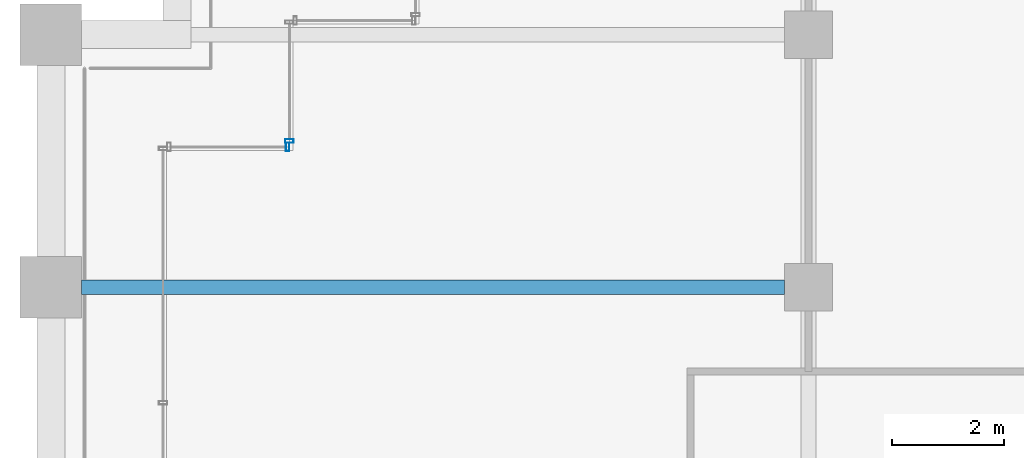
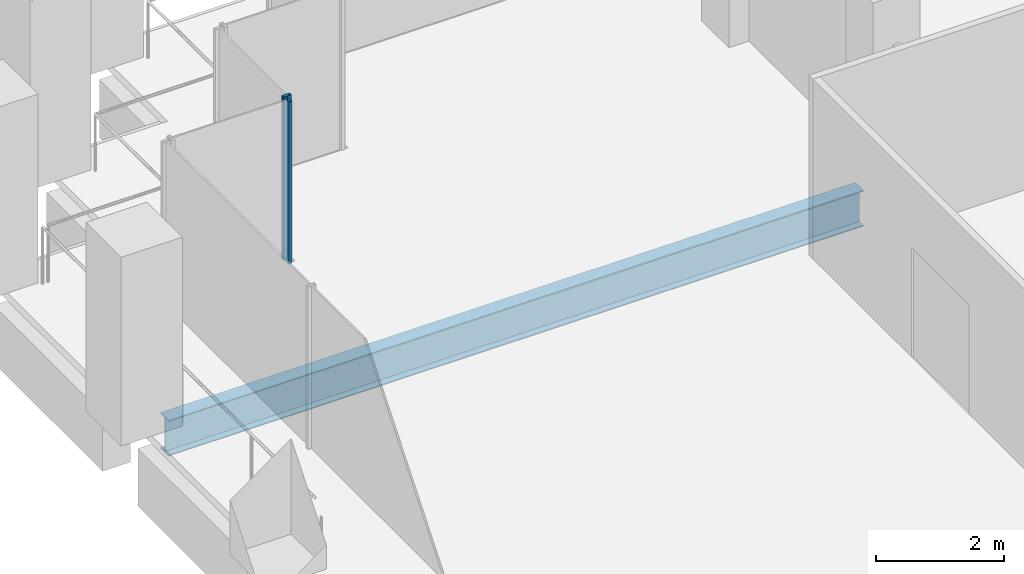
# One storey, part 24 of 54: 2 members, 1 beam, 2 elements without a shape of their own.
"""IFC4 building model written with IfcOpenShell, lengths in metres."""

from ifc_helpers import new_model, si_unit, direction, frame, origin, origin_2d, place, context, subcontext, project, spatial, hollow_rectangle, i_section, extrude, material, material_profile, profile_set, type_object, element, aggregate, save


model = new_model("IFC4")

# Units and contexts
model_context = context("Model", 3, precision=1e-05, world=origin(), true_north=direction((0.0, 1.0)))
body_context = subcontext(model_context, "Body", "Model", "MODEL_VIEW")
ifc_project = project(units=[si_unit("LENGTHUNIT", "METRE"), si_unit("AREAUNIT", "SQUARE_METRE"), si_unit("VOLUMEUNIT", "CUBIC_METRE"), si_unit("PLANEANGLEUNIT", "RADIAN"), si_unit("MASSUNIT", "GRAM", prefix="KILO")], contexts=[model_context])

# Site, building, storey
site_placement = place(None, origin())
site = spatial("IfcSite", under=ifc_project, at=site_placement, CompositionType="ELEMENT")
building_placement = place(site_placement, origin())
building = spatial("IfcBuilding", under=site, at=building_placement, Name="Altepetl Exchange Towers", CompositionType="ELEMENT")
storey_placement = place(building_placement, frame((0.0, 0.0, 65.39990234375)))
storey = spatial("IfcBuildingStorey", under=building, at=storey_placement, Name="L15", CompositionType="ELEMENT", Elevation=65.39990234375)

# Beam
ifc_material_1 = material(Name="Steel S355", Category="steel")
ifc_material_profile_1 = material_profile(ifc_material_1, i_section(OverallWidth=0.25390625, OverallDepth=0.68408203125, WebThickness=0.012451171875, FlangeThickness=0.018798828125, at=origin_2d()), Name="W27X94")
ifc_profile_set_1 = profile_set([ifc_material_profile_1], Name="Steel S355")
beam_type = type_object("IfcBeamType", Name="Floor beam W27X94", PredefinedType="BEAM", material=ifc_profile_set_1)
beam_placement = place(storey_placement, frame((27.550048828125, 63.0, -0.491943359375), z_axis=(1.0, 0.0, 0.0), x_axis=(0.0, 1.0, 0.0)))
element("IfcBeam", 1, at=beam_placement, inside=storey, type_object=beam_type, Name="bm:A:L15:022", PredefinedType="BEAM", context=body_context, shape_type="SweptSolid", body=[
    extrude(i_section(OverallWidth=0.25390625, OverallDepth=0.68408203125, WebThickness=0.012451171875, FlangeThickness=0.018798828125, at=origin_2d()), origin(), (0.0, 0.0, 1.0), 12.52490234375),
])

# Curtain wall, member
ifc_material_2 = material(Name="Aluminium 6063-T6 glazing", Category="aluminium")
curtain_wall_type = type_object("IfcCurtainWallType", Name="Loggia glazing system", PredefinedType="NOTDEFINED", material=ifc_material_2)
curtain_wall_1_placement = place(storey_placement, origin())
curtain_wall_1 = element("IfcCurtainWall", 2, at=curtain_wall_1_placement, inside=storey, type_object=curtain_wall_type, Name="CW1 run", PredefinedType="NOTDEFINED")
ifc_material_3 = material(Name="Aluminium 6063-T6", Category="aluminium")
ifc_material_profile_2 = material_profile(ifc_material_3, hollow_rectangle(XDim=0.06005859375, YDim=0.14990234375, WallThickness=0.0029296875, at=origin_2d()), Name="Mullion 60x150 aluminium")
ifc_profile_set_2 = profile_set([ifc_material_profile_2], Name="Aluminium 6063-T6")
member_type = type_object("IfcMemberType", Name="Mullion 60x150 aluminium", PredefinedType="MULLION", material=ifc_profile_set_2)
member_1_placement = place(storey_placement, frame((31.219970703125, 65.5, 0.0), z_axis=(0.0, 0.0, 1.0), x_axis=(-1.0, 0.0, 0.0)))
member_1 = element("IfcMember", 3, at=member_1_placement, type_object=member_type, Name="MU1 mullion", PredefinedType="MULLION", context=body_context, shape_type="SweptSolid", body=[
    extrude(hollow_rectangle(XDim=0.06005859375, YDim=0.14990234375, WallThickness=0.0029296875, at=origin_2d()), origin(), (0.0, 0.0, 1.0), 3.10009765625),
])
aggregate(curtain_wall_1, [member_1])

curtain_wall_2_placement = place(storey_placement, origin())
curtain_wall_2 = element("IfcCurtainWall", 4, at=curtain_wall_2_placement, inside=storey, type_object=curtain_wall_type, Name="CW1 run", PredefinedType="NOTDEFINED")
member_2_placement = place(storey_placement, frame((31.25, 65.60498046875, 0.0), z_axis=(0.0, 0.0, 1.0), x_axis=(0.0, -1.0, 0.0)))
member_2 = element("IfcMember", 5, at=member_2_placement, type_object=member_type, Name="MU1 mullion", PredefinedType="MULLION", context=body_context, shape_type="SweptSolid", body=[
    extrude(hollow_rectangle(XDim=0.06005859375, YDim=0.14990234375, WallThickness=0.0029296875, at=origin_2d()), origin(), (0.0, 0.0, 1.0), 3.10009765625),
])
aggregate(curtain_wall_2, [member_2])

save(model, "model.ifc")
